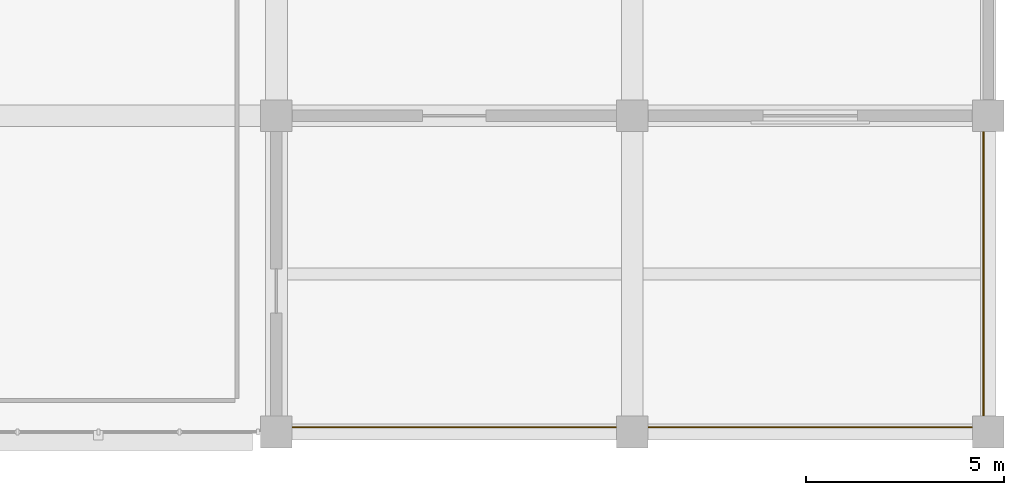
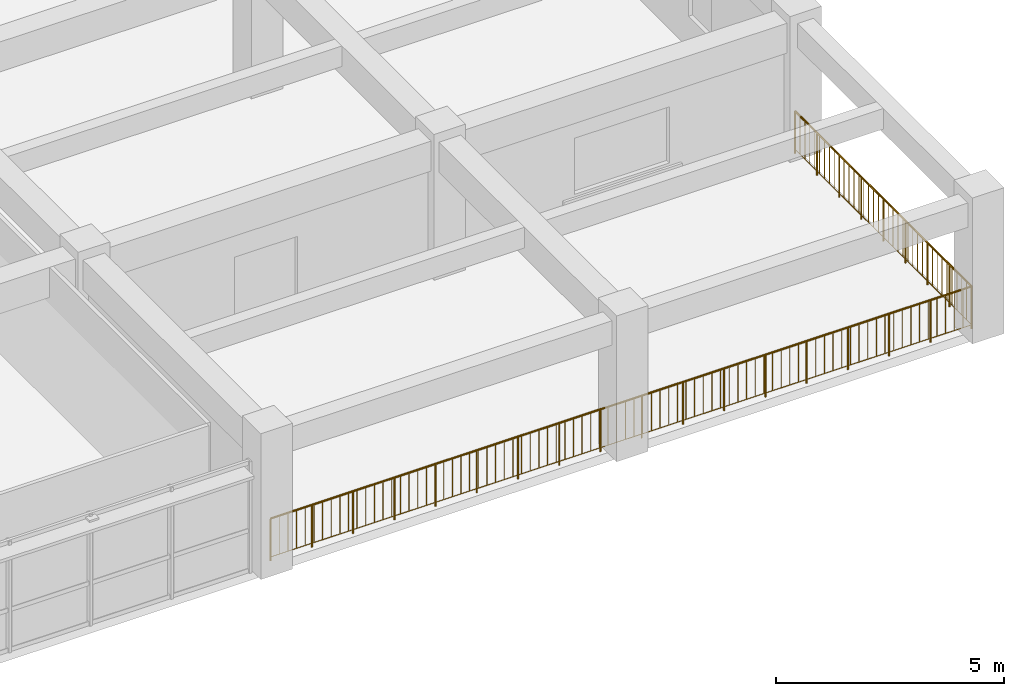
# One storey, part 17 of 17: 1 railing.
"""IFC4 building model written with IfcOpenShell, lengths in metres."""

import ifcopenshell
import ifcopenshell.guid

model = None  # the IFC model being written
_history = None  # IfcOwnerHistory: only IFC2X3 demands one
_inside = {}  # id of a spatial element -> (the spatial element, [elements in it])
_under = {}  # id of a project, library or spatial element -> (it, [spatial elements below it])
_declared = {}  # id of a project -> (the project, [libraries it declares])
_typed = {}  # id of a type object -> (the type object, [elements of that type])
_made_of = {}  # id of a material, layer set ... -> (it, [elements and type objects made of it])


def new_model(schema):
    """Start an empty IFC model of exactly this schema.

    Asked for "IFC4X3", IfcOpenShell would pick the latest addendum, in which some entities
    have other attributes; the version numbers below select the first issue.
    IFC2X3 requires an IfcOwnerHistory on every rooted entity: one is made here for all.
    """
    global model, _history
    if schema == "IFC4X3":
        model = ifcopenshell.file(schema_version=(4, 3, 0, 0))
    else:
        model = ifcopenshell.file(schema=schema)
    _inside.clear()
    _under.clear()
    _declared.clear()
    _typed.clear()
    _made_of.clear()
    _history = None
    if model.schema == "IFC2X3":
        org = make("IfcOrganization", Name="unknown")
        user = make(
            "IfcPersonAndOrganization",
            ThePerson=make("IfcPerson", FamilyName="unknown"),
            TheOrganization=org,
        )
        app = make(
            "IfcApplication",
            ApplicationDeveloper=org,
            Version="unknown",
            ApplicationFullName="unknown",
            ApplicationIdentifier="unknown",
        )
        _history = make(
            "IfcOwnerHistory",
            OwningUser=user,
            OwningApplication=app,
            ChangeAction="ADDED",
            CreationDate=0,
        )
    return model


def make(cls, **values):
    """One entity of the class cls with the attributes given. An attribute that is None is left unset."""
    return model.create_entity(
        cls, **{name: value for name, value in values.items() if value is not None}
    )


def rooted(cls, **values):
    """An entity with a GlobalId (a new one), such as an element, a storey or a relation."""
    return make(cls, GlobalId=ifcopenshell.guid.new(), OwnerHistory=_history, **values)


def si_unit(unit_type, name, prefix=None):
    """IfcSIUnit, for example si_unit("LENGTHUNIT", "METRE", prefix="MILLI")."""
    return make("IfcSIUnit", UnitType=unit_type, Prefix=prefix, Name=name)


def assignment(units):
    """IfcUnitAssignment: the units of a project."""
    return None if units is None else make("IfcUnitAssignment", Units=units)


def point(xyz):
    """IfcCartesianPoint."""
    return None if xyz is None else make("IfcCartesianPoint", Coordinates=xyz)


def direction(xyz):
    """IfcDirection."""
    return None if xyz is None else make("IfcDirection", DirectionRatios=xyz)


def frame(location, z_axis=None, x_axis=None):
    """IfcAxis2Placement3D, a coordinate frame: its origin and axes. An axis left out is left unset."""
    return make(
        "IfcAxis2Placement3D",
        Location=point(location),
        Axis=direction(z_axis),
        RefDirection=direction(x_axis),
    )


def frame_2d(location, x_axis=None):
    """IfcAxis2Placement2D, a coordinate frame in the plane: its origin and x axis."""
    return make(
        "IfcAxis2Placement2D", Location=point(location), RefDirection=direction(x_axis)
    )


def origin():
    """The frame at (0, 0, 0) with its axes left unset."""
    return frame((0.0, 0.0, 0.0))


def origin_2d():
    """The frame at (0, 0) in the plane with its x axis left unset."""
    return frame_2d((0.0, 0.0))


def place(relative_to, where):
    """IfcLocalPlacement: puts the frame where relative to a parent placement (None: the world)."""
    return make(
        "IfcLocalPlacement", PlacementRelTo=relative_to, RelativePlacement=where
    )


def context(
    kind, dimensions, precision=None, world=None, true_north=None, identifier=None
):
    """IfcGeometricRepresentationContext, for example the 3D "Model" context."""
    return make(
        "IfcGeometricRepresentationContext",
        ContextIdentifier=identifier,
        ContextType=kind,
        CoordinateSpaceDimension=dimensions,
        Precision=precision,
        WorldCoordinateSystem=world,
        TrueNorth=true_north,
    )


def subcontext(parent, identifier, kind, view, scale=None):
    """IfcGeometricRepresentationSubContext, for example "Body" below "Model"."""
    return make(
        "IfcGeometricRepresentationSubContext",
        ContextIdentifier=identifier,
        ContextType=kind,
        ParentContext=parent,
        TargetScale=scale,
        TargetView=view,
    )


def project(units=None, contexts=None):
    """IfcProject with its units and contexts."""
    return rooted(
        "IfcProject",
        Name="project",
        RepresentationContexts=contexts,
        UnitsInContext=assignment(units),
    )


def spatial(cls, under=None, at=None, **own):
    """A site, building, storey or space (cls), placed at a placement, below another one or the project."""
    s = rooted(cls, ObjectPlacement=at, **own)
    if under is not None:
        _under.setdefault(under.id(), (under, []))[1].append(s)
    return s


def profile(cls, at=None, kind="AREA", **sizes):
    """A parametric profile (cls). Its sizes go by their IFC names, for example OverallWidth=200.0."""
    return make(cls, ProfileType=kind, Position=at, **sizes)


def circle(**sizes):
    """IfcCircleProfileDef."""
    return profile("IfcCircleProfileDef", **sizes)


def extrude(swept, where, along, depth):
    """IfcExtrudedAreaSolid: the profile swept, set in the frame where, extruded along a direction by depth."""
    return make(
        "IfcExtrudedAreaSolid",
        SweptArea=swept,
        Position=where,
        ExtrudedDirection=direction(along),
        Depth=depth,
    )


def shape(context_of_items, identifier, shape_type, items):
    """IfcShapeRepresentation: the items that make up one representation, for example the "Body"."""
    return make(
        "IfcShapeRepresentation",
        ContextOfItems=context_of_items,
        RepresentationIdentifier=identifier,
        RepresentationType=shape_type,
        Items=items,
    )


def material(Name=None, Category=None):
    """IfcMaterial."""
    return make("IfcMaterial", Name=Name, Category=Category)


def layer(
    of_material, thickness, ventilated=None, Name=None, Category=None, Priority=None
):
    """IfcMaterialLayer: one layer of a wall or slab, of a material (None: an air gap)."""
    return make(
        "IfcMaterialLayer",
        Material=of_material,
        LayerThickness=thickness,
        IsVentilated=ventilated,
        Name=Name,
        Category=Category,
        Priority=Priority,
    )


def layer_set(layers, Name=None):
    """IfcMaterialLayerSet."""
    return make("IfcMaterialLayerSet", MaterialLayers=layers, LayerSetName=Name)


def made_of(thing, what):
    """Note that an element or type object is made of a material, layer set ...; save() writes the relation."""
    if what is not None:
        _made_of.setdefault(what.id(), (what, []))[1].append(thing)
    return thing


def type_object(cls, material=None, **own):
    """A type object (cls), such as IfcWallType, which elements share."""
    return made_of(rooted(cls, **own), material)


def element(
    cls,
    number,
    at=None,
    inside=None,
    cuts=None,
    type_object=None,
    material=None,
    context=None,
    identifier="Body",
    shape_type=None,
    held_by="IfcProductDefinitionShape",
    body=None,
    shapes=None,
    **own,
):
    """One element of the class cls, such as IfcWall. Its Tag is "e" and its number.

    at: its placement. inside: the storey or other place that contains it. cuts: it is an
    opening in that element (IfcRelVoidsElement). A single representation is given by context,
    identifier, shape_type and body (its items); several are given by shapes. held_by: the class
    of the entity that holds the representations. save() writes the other relations.
    """
    e = rooted(cls, Tag="e%d" % number, ObjectPlacement=at, **own)
    if body is not None:
        shapes = [shape(context, identifier, shape_type, body)]
    if shapes is not None:
        e.Representation = make(held_by, Representations=shapes)
    if inside is not None:
        _inside.setdefault(inside.id(), (inside, []))[1].append(e)
    if cuts is not None:
        rooted(
            "IfcRelVoidsElement", RelatingBuildingElement=cuts, RelatedOpeningElement=e
        )
    if type_object is not None:
        _typed.setdefault(type_object.id(), (type_object, []))[1].append(e)
    return made_of(e, material)


def aggregate(whole, parts):
    """IfcRelAggregates: a whole, such as a stair, and the parts it consists of."""
    return rooted("IfcRelAggregates", RelatingObject=whole, RelatedObjects=parts)


def save(model, path):
    """Write the relations noted so far, then the file.

    IfcRelAggregates (storeys below a building ...), IfcRelContainedInSpatialStructure (elements
    in a storey), IfcRelDefinesByType, IfcRelAssociatesMaterial and IfcRelDeclares: one each for
    every whole, place, type object, material and project.
    """
    for whole, parts in _under.values():
        aggregate(whole, parts)
    for where, things in _inside.values():
        rooted(
            "IfcRelContainedInSpatialStructure",
            RelatedElements=things,
            RelatingStructure=where,
        )
    for kind, things in _typed.values():
        rooted("IfcRelDefinesByType", RelatedObjects=things, RelatingType=kind)
    for what, things in _made_of.values():
        rooted("IfcRelAssociatesMaterial", RelatedObjects=things, RelatingMaterial=what)
    for by, libraries in _declared.values():
        rooted("IfcRelDeclares", RelatingContext=by, RelatedDefinitions=libraries)
    model.write(path)


model = new_model("IFC4")

# Units and contexts
model_context = context("Model", 3, precision=1e-05, world=origin(), true_north=direction((0.0, 1.0)))
body_context = subcontext(model_context, "Body", "Model", "MODEL_VIEW")
ifc_project = project(units=[si_unit("LENGTHUNIT", "METRE"), si_unit("AREAUNIT", "SQUARE_METRE"), si_unit("VOLUMEUNIT", "CUBIC_METRE"), si_unit("PLANEANGLEUNIT", "RADIAN"), si_unit("MASSUNIT", "GRAM", prefix="KILO")], contexts=[model_context])

# Site, building, storey
site_placement = place(None, origin())
site = spatial("IfcSite", under=ifc_project, at=site_placement, CompositionType="ELEMENT")
building_placement = place(site_placement, origin())
building = spatial("IfcBuilding", under=site, at=building_placement, Name="Zaverband Oceanarium and Marine Research Institute", CompositionType="ELEMENT")
storey_placement = place(building_placement, frame((0.0, 0.0, 33.60009765625)))
storey = spatial("IfcBuildingStorey", under=building, at=storey_placement, Name="L08", CompositionType="ELEMENT", Elevation=33.60009765625)

# Railing
ifc_material = material(Name="Steel S355", Category="steel")
ifc_layer = layer(ifc_material, 0.06005859375, Name="Steel S355")
ifc_layer_set = layer_set([ifc_layer], Name="Steel S355")
railing_type = type_object("IfcRailingType", Name="GRD-EXT-1150", PredefinedType="BALUSTRADE", material=ifc_layer_set)
railing_placement = place(storey_placement, frame((54.14990234375, 64.1201171875, 0.0)))
element("IfcRailing", 1, at=railing_placement, inside=storey, type_object=railing_type, Name="1150 mm marine-grade stainless steel terrace guard GRD-EXT-1150", PredefinedType="BALUSTRADE", context=body_context, shape_type="SweptSolid", body=[
    extrude(circle(Radius=0.02392578125, at=origin_2d()), frame((0.0, 0.0, 1.1259765625), z_axis=(1.0, 0.0, 0.0), x_axis=(0.0, 1.0, 0.0)), (0.0, 0.0, 1.0), 17.72998046875),
    extrude(circle(Radius=0.009033203125, at=origin_2d()), frame((0.0, 0.0, 0.10009765625), z_axis=(1.0, 0.0, 0.0), x_axis=(0.0, 1.0, 0.0)), (0.0, 0.0, 1.0), 17.72998046875),
    extrude(circle(Radius=0.009033203125, at=origin_2d()), frame((0.218994140625, 0.0, 0.10009765625)), (0.0, 0.0, 1.0), 1.001708984375),
    extrude(circle(Radius=0.009033203125, at=origin_2d()), frame((0.437744140625, 0.0, 0.10009765625)), (0.0, 0.0, 1.0), 1.001708984375),
    extrude(circle(Radius=0.009033203125, at=origin_2d()), frame((0.65673828125, 0.0, 0.10009765625)), (0.0, 0.0, 1.0), 1.001708984375),
    extrude(circle(Radius=0.009033203125, at=origin_2d()), frame((0.87548828125, 0.0, 0.10009765625)), (0.0, 0.0, 1.0), 1.001708984375),
    extrude(circle(Radius=0.009033203125, at=origin_2d()), frame((1.094482421875, 0.0, 0.10009765625)), (0.0, 0.0, 1.0), 1.001708984375),
    extrude(circle(Radius=0.009033203125, at=origin_2d()), frame((1.313232421875, 0.0, 0.10009765625)), (0.0, 0.0, 1.0), 1.001708984375),
    extrude(circle(Radius=0.009033203125, at=origin_2d()), frame((1.5322265625, 0.0, 0.10009765625)), (0.0, 0.0, 1.0), 1.001708984375),
    extrude(circle(Radius=0.009033203125, at=origin_2d()), frame((1.751220703125, 0.0, 0.10009765625)), (0.0, 0.0, 1.0), 1.001708984375),
    extrude(circle(Radius=0.009033203125, at=origin_2d()), frame((1.969970703125, 0.0, 0.10009765625)), (0.0, 0.0, 1.0), 1.001708984375),
    extrude(circle(Radius=0.009033203125, at=origin_2d()), frame((2.18896484375, 0.0, 0.10009765625)), (0.0, 0.0, 1.0), 1.001708984375),
    extrude(circle(Radius=0.009033203125, at=origin_2d()), frame((2.40771484375, 0.0, 0.10009765625)), (0.0, 0.0, 1.0), 1.001708984375),
    extrude(circle(Radius=0.009033203125, at=origin_2d()), frame((2.626708984375, 0.0, 0.10009765625)), (0.0, 0.0, 1.0), 1.001708984375),
    extrude(circle(Radius=0.009033203125, at=origin_2d()), frame((2.845458984375, 0.0, 0.10009765625)), (0.0, 0.0, 1.0), 1.001708984375),
    extrude(circle(Radius=0.009033203125, at=origin_2d()), frame((3.064453125, 0.0, 0.10009765625)), (0.0, 0.0, 1.0), 1.001708984375),
    extrude(circle(Radius=0.009033203125, at=origin_2d()), frame((3.283447265625, 0.0, 0.10009765625)), (0.0, 0.0, 1.0), 1.001708984375),
    extrude(circle(Radius=0.009033203125, at=origin_2d()), frame((3.502197265625, 0.0, 0.10009765625)), (0.0, 0.0, 1.0), 1.001708984375),
    extrude(circle(Radius=0.009033203125, at=origin_2d()), frame((3.72119140625, 0.0, 0.10009765625)), (0.0, 0.0, 1.0), 1.001708984375),
    extrude(circle(Radius=0.009033203125, at=origin_2d()), frame((3.93994140625, 0.0, 0.10009765625)), (0.0, 0.0, 1.0), 1.001708984375),
    extrude(circle(Radius=0.009033203125, at=origin_2d()), frame((4.158935546875, 0.0, 0.10009765625)), (0.0, 0.0, 1.0), 1.001708984375),
    extrude(circle(Radius=0.009033203125, at=origin_2d()), frame((4.377685546875, 0.0, 0.10009765625)), (0.0, 0.0, 1.0), 1.001708984375),
    extrude(circle(Radius=0.009033203125, at=origin_2d()), frame((4.5966796875, 0.0, 0.10009765625)), (0.0, 0.0, 1.0), 1.001708984375),
    extrude(circle(Radius=0.009033203125, at=origin_2d()), frame((4.8154296875, 0.0, 0.10009765625)), (0.0, 0.0, 1.0), 1.001708984375),
    extrude(circle(Radius=0.009033203125, at=origin_2d()), frame((5.034423828125, 0.0, 0.10009765625)), (0.0, 0.0, 1.0), 1.001708984375),
    extrude(circle(Radius=0.009033203125, at=origin_2d()), frame((5.25341796875, 0.0, 0.10009765625)), (0.0, 0.0, 1.0), 1.001708984375),
    extrude(circle(Radius=0.009033203125, at=origin_2d()), frame((5.47216796875, 0.0, 0.10009765625)), (0.0, 0.0, 1.0), 1.001708984375),
    extrude(circle(Radius=0.009033203125, at=origin_2d()), frame((5.691162109375, 0.0, 0.10009765625)), (0.0, 0.0, 1.0), 1.001708984375),
    extrude(circle(Radius=0.009033203125, at=origin_2d()), frame((5.909912109375, 0.0, 0.10009765625)), (0.0, 0.0, 1.0), 1.001708984375),
    extrude(circle(Radius=0.009033203125, at=origin_2d()), frame((6.12890625, 0.0, 0.10009765625)), (0.0, 0.0, 1.0), 1.001708984375),
    extrude(circle(Radius=0.009033203125, at=origin_2d()), frame((6.34765625, 0.0, 0.10009765625)), (0.0, 0.0, 1.0), 1.001708984375),
    extrude(circle(Radius=0.009033203125, at=origin_2d()), frame((6.566650390625, 0.0, 0.10009765625)), (0.0, 0.0, 1.0), 1.001708984375),
    extrude(circle(Radius=0.009033203125, at=origin_2d()), frame((6.78564453125, 0.0, 0.10009765625)), (0.0, 0.0, 1.0), 1.001708984375),
    extrude(circle(Radius=0.009033203125, at=origin_2d()), frame((7.00439453125, 0.0, 0.10009765625)), (0.0, 0.0, 1.0), 1.001708984375),
    extrude(circle(Radius=0.009033203125, at=origin_2d()), frame((7.223388671875, 0.0, 0.10009765625)), (0.0, 0.0, 1.0), 1.001708984375),
    extrude(circle(Radius=0.009033203125, at=origin_2d()), frame((7.442138671875, 0.0, 0.10009765625)), (0.0, 0.0, 1.0), 1.001708984375),
    extrude(circle(Radius=0.009033203125, at=origin_2d()), frame((7.6611328125, 0.0, 0.10009765625)), (0.0, 0.0, 1.0), 1.001708984375),
    extrude(circle(Radius=0.009033203125, at=origin_2d()), frame((7.8798828125, 0.0, 0.10009765625)), (0.0, 0.0, 1.0), 1.001708984375),
    extrude(circle(Radius=0.009033203125, at=origin_2d()), frame((8.098876953125, 0.0, 0.10009765625)), (0.0, 0.0, 1.0), 1.001708984375),
    extrude(circle(Radius=0.009033203125, at=origin_2d()), frame((8.31787109375, 0.0, 0.10009765625)), (0.0, 0.0, 1.0), 1.001708984375),
    extrude(circle(Radius=0.009033203125, at=origin_2d()), frame((8.53662109375, 0.0, 0.10009765625)), (0.0, 0.0, 1.0), 1.001708984375),
    extrude(circle(Radius=0.009033203125, at=origin_2d()), frame((8.755615234375, 0.0, 0.10009765625)), (0.0, 0.0, 1.0), 1.001708984375),
    extrude(circle(Radius=0.009033203125, at=origin_2d()), frame((8.974365234375, 0.0, 0.10009765625)), (0.0, 0.0, 1.0), 1.001708984375),
    extrude(circle(Radius=0.009033203125, at=origin_2d()), frame((9.193359375, 0.0, 0.10009765625)), (0.0, 0.0, 1.0), 1.001708984375),
    extrude(circle(Radius=0.009033203125, at=origin_2d()), frame((9.412109375, 0.0, 0.10009765625)), (0.0, 0.0, 1.0), 1.001708984375),
    extrude(circle(Radius=0.009033203125, at=origin_2d()), frame((9.631103515625, 0.0, 0.10009765625)), (0.0, 0.0, 1.0), 1.001708984375),
    extrude(circle(Radius=0.009033203125, at=origin_2d()), frame((9.85009765625, 0.0, 0.10009765625)), (0.0, 0.0, 1.0), 1.001708984375),
    extrude(circle(Radius=0.009033203125, at=origin_2d()), frame((10.06884765625, 0.0, 0.10009765625)), (0.0, 0.0, 1.0), 1.001708984375),
    extrude(circle(Radius=0.009033203125, at=origin_2d()), frame((10.287841796875, 0.0, 0.10009765625)), (0.0, 0.0, 1.0), 1.001708984375),
    extrude(circle(Radius=0.009033203125, at=origin_2d()), frame((10.506591796875, 0.0, 0.10009765625)), (0.0, 0.0, 1.0), 1.001708984375),
    extrude(circle(Radius=0.009033203125, at=origin_2d()), frame((10.7255859375, 0.0, 0.10009765625)), (0.0, 0.0, 1.0), 1.001708984375),
    extrude(circle(Radius=0.009033203125, at=origin_2d()), frame((10.9443359375, 0.0, 0.10009765625)), (0.0, 0.0, 1.0), 1.001708984375),
    extrude(circle(Radius=0.009033203125, at=origin_2d()), frame((11.163330078125, 0.0, 0.10009765625)), (0.0, 0.0, 1.0), 1.001708984375),
    extrude(circle(Radius=0.009033203125, at=origin_2d()), frame((11.38232421875, 0.0, 0.10009765625)), (0.0, 0.0, 1.0), 1.001708984375),
    extrude(circle(Radius=0.009033203125, at=origin_2d()), frame((11.60107421875, 0.0, 0.10009765625)), (0.0, 0.0, 1.0), 1.001708984375),
    extrude(circle(Radius=0.009033203125, at=origin_2d()), frame((11.820068359375, 0.0, 0.10009765625)), (0.0, 0.0, 1.0), 1.001708984375),
    extrude(circle(Radius=0.009033203125, at=origin_2d()), frame((12.038818359375, 0.0, 0.10009765625)), (0.0, 0.0, 1.0), 1.001708984375),
    extrude(circle(Radius=0.009033203125, at=origin_2d()), frame((12.2578125, 0.0, 0.10009765625)), (0.0, 0.0, 1.0), 1.001708984375),
    extrude(circle(Radius=0.009033203125, at=origin_2d()), frame((12.4765625, 0.0, 0.10009765625)), (0.0, 0.0, 1.0), 1.001708984375),
    extrude(circle(Radius=0.009033203125, at=origin_2d()), frame((12.695556640625, 0.0, 0.10009765625)), (0.0, 0.0, 1.0), 1.001708984375),
    extrude(circle(Radius=0.009033203125, at=origin_2d()), frame((12.91455078125, 0.0, 0.10009765625)), (0.0, 0.0, 1.0), 1.001708984375),
    extrude(circle(Radius=0.009033203125, at=origin_2d()), frame((13.13330078125, 0.0, 0.10009765625)), (0.0, 0.0, 1.0), 1.001708984375),
    extrude(circle(Radius=0.009033203125, at=origin_2d()), frame((13.352294921875, 0.0, 0.10009765625)), (0.0, 0.0, 1.0), 1.001708984375),
    extrude(circle(Radius=0.009033203125, at=origin_2d()), frame((13.571044921875, 0.0, 0.10009765625)), (0.0, 0.0, 1.0), 1.001708984375),
    extrude(circle(Radius=0.009033203125, at=origin_2d()), frame((13.7900390625, 0.0, 0.10009765625)), (0.0, 0.0, 1.0), 1.001708984375),
    extrude(circle(Radius=0.009033203125, at=origin_2d()), frame((14.0087890625, 0.0, 0.10009765625)), (0.0, 0.0, 1.0), 1.001708984375),
    extrude(circle(Radius=0.009033203125, at=origin_2d()), frame((14.227783203125, 0.0, 0.10009765625)), (0.0, 0.0, 1.0), 1.001708984375),
    extrude(circle(Radius=0.009033203125, at=origin_2d()), frame((14.446533203125, 0.0, 0.10009765625)), (0.0, 0.0, 1.0), 1.001708984375),
    extrude(circle(Radius=0.009033203125, at=origin_2d()), frame((14.66552734375, 0.0, 0.10009765625)), (0.0, 0.0, 1.0), 1.001708984375),
    extrude(circle(Radius=0.009033203125, at=origin_2d()), frame((14.884521484375, 0.0, 0.10009765625)), (0.0, 0.0, 1.0), 1.001708984375),
    extrude(circle(Radius=0.009033203125, at=origin_2d()), frame((15.103271484375, 0.0, 0.10009765625)), (0.0, 0.0, 1.0), 1.001708984375),
    extrude(circle(Radius=0.009033203125, at=origin_2d()), frame((15.322265625, 0.0, 0.10009765625)), (0.0, 0.0, 1.0), 1.001708984375),
    extrude(circle(Radius=0.009033203125, at=origin_2d()), frame((15.541015625, 0.0, 0.10009765625)), (0.0, 0.0, 1.0), 1.001708984375),
    extrude(circle(Radius=0.009033203125, at=origin_2d()), frame((15.760009765625, 0.0, 0.10009765625)), (0.0, 0.0, 1.0), 1.001708984375),
    extrude(circle(Radius=0.009033203125, at=origin_2d()), frame((15.978759765625, 0.0, 0.10009765625)), (0.0, 0.0, 1.0), 1.001708984375),
    extrude(circle(Radius=0.009033203125, at=origin_2d()), frame((16.19775390625, 0.0, 0.10009765625)), (0.0, 0.0, 1.0), 1.001708984375),
    extrude(circle(Radius=0.009033203125, at=origin_2d()), frame((16.416748046875, 0.0, 0.10009765625)), (0.0, 0.0, 1.0), 1.001708984375),
    extrude(circle(Radius=0.009033203125, at=origin_2d()), frame((16.635498046875, 0.0, 0.10009765625)), (0.0, 0.0, 1.0), 1.001708984375),
    extrude(circle(Radius=0.009033203125, at=origin_2d()), frame((16.8544921875, 0.0, 0.10009765625)), (0.0, 0.0, 1.0), 1.001708984375),
    extrude(circle(Radius=0.009033203125, at=origin_2d()), frame((17.0732421875, 0.0, 0.10009765625)), (0.0, 0.0, 1.0), 1.001708984375),
    extrude(circle(Radius=0.009033203125, at=origin_2d()), frame((17.292236328125, 0.0, 0.10009765625)), (0.0, 0.0, 1.0), 1.001708984375),
    extrude(circle(Radius=0.009033203125, at=origin_2d()), frame((17.510986328125, 0.0, 0.10009765625)), (0.0, 0.0, 1.0), 1.001708984375),
    extrude(circle(Radius=0.02392578125, at=origin_2d()), frame((17.72998046875, 0.0, 1.1259765625), z_axis=(0.0, 1.0, 0.0), x_axis=(-1.0, 0.0, 0.0)), (0.0, 0.0, 1.0), 7.72998046875),
    extrude(circle(Radius=0.009033203125, at=origin_2d()), frame((17.72998046875, 0.0, 0.10009765625), z_axis=(0.0, 1.0, 0.0), x_axis=(-1.0, 0.0, 0.0)), (0.0, 0.0, 1.0), 7.72998046875),
    extrude(circle(Radius=0.009033203125, at=origin_2d()), frame((17.72998046875, 0.21484375, 0.10009765625)), (0.0, 0.0, 1.0), 1.001708984375),
    extrude(circle(Radius=0.009033203125, at=origin_2d()), frame((17.72998046875, 0.429443359375, 0.10009765625)), (0.0, 0.0, 1.0), 1.001708984375),
    extrude(circle(Radius=0.009033203125, at=origin_2d()), frame((17.72998046875, 0.64404296875, 0.10009765625)), (0.0, 0.0, 1.0), 1.001708984375),
    extrude(circle(Radius=0.009033203125, at=origin_2d()), frame((17.72998046875, 0.85888671875, 0.10009765625)), (0.0, 0.0, 1.0), 1.001708984375),
    extrude(circle(Radius=0.009033203125, at=origin_2d()), frame((17.72998046875, 1.07373046875, 0.10009765625)), (0.0, 0.0, 1.0), 1.001708984375),
    extrude(circle(Radius=0.009033203125, at=origin_2d()), frame((17.72998046875, 1.288330078125, 0.10009765625)), (0.0, 0.0, 1.0), 1.001708984375),
    extrude(circle(Radius=0.009033203125, at=origin_2d()), frame((17.72998046875, 1.5029296875, 0.10009765625)), (0.0, 0.0, 1.0), 1.001708984375),
    extrude(circle(Radius=0.009033203125, at=origin_2d()), frame((17.72998046875, 1.7177734375, 0.10009765625)), (0.0, 0.0, 1.0), 1.001708984375),
    extrude(circle(Radius=0.009033203125, at=origin_2d()), frame((17.72998046875, 1.9326171875, 0.10009765625)), (0.0, 0.0, 1.0), 1.001708984375),
    extrude(circle(Radius=0.009033203125, at=origin_2d()), frame((17.72998046875, 2.147216796875, 0.10009765625)), (0.0, 0.0, 1.0), 1.001708984375),
    extrude(circle(Radius=0.009033203125, at=origin_2d()), frame((17.72998046875, 2.36181640625, 0.10009765625)), (0.0, 0.0, 1.0), 1.001708984375),
    extrude(circle(Radius=0.009033203125, at=origin_2d()), frame((17.72998046875, 2.57666015625, 0.10009765625)), (0.0, 0.0, 1.0), 1.001708984375),
    extrude(circle(Radius=0.009033203125, at=origin_2d()), frame((17.72998046875, 2.79150390625, 0.10009765625)), (0.0, 0.0, 1.0), 1.001708984375),
    extrude(circle(Radius=0.009033203125, at=origin_2d()), frame((17.72998046875, 3.006103515625, 0.10009765625)), (0.0, 0.0, 1.0), 1.001708984375),
    extrude(circle(Radius=0.009033203125, at=origin_2d()), frame((17.72998046875, 3.220703125, 0.10009765625)), (0.0, 0.0, 1.0), 1.001708984375),
    extrude(circle(Radius=0.009033203125, at=origin_2d()), frame((17.72998046875, 3.435546875, 0.10009765625)), (0.0, 0.0, 1.0), 1.001708984375),
    extrude(circle(Radius=0.009033203125, at=origin_2d()), frame((17.72998046875, 3.650390625, 0.10009765625)), (0.0, 0.0, 1.0), 1.001708984375),
    extrude(circle(Radius=0.009033203125, at=origin_2d()), frame((17.72998046875, 3.864990234375, 0.10009765625)), (0.0, 0.0, 1.0), 1.001708984375),
    extrude(circle(Radius=0.009033203125, at=origin_2d()), frame((17.72998046875, 4.07958984375, 0.10009765625)), (0.0, 0.0, 1.0), 1.001708984375),
    extrude(circle(Radius=0.009033203125, at=origin_2d()), frame((17.72998046875, 4.29443359375, 0.10009765625)), (0.0, 0.0, 1.0), 1.001708984375),
    extrude(circle(Radius=0.009033203125, at=origin_2d()), frame((17.72998046875, 4.50927734375, 0.10009765625)), (0.0, 0.0, 1.0), 1.001708984375),
    extrude(circle(Radius=0.009033203125, at=origin_2d()), frame((17.72998046875, 4.723876953125, 0.10009765625)), (0.0, 0.0, 1.0), 1.001708984375),
    extrude(circle(Radius=0.009033203125, at=origin_2d()), frame((17.72998046875, 4.9384765625, 0.10009765625)), (0.0, 0.0, 1.0), 1.001708984375),
    extrude(circle(Radius=0.009033203125, at=origin_2d()), frame((17.72998046875, 5.1533203125, 0.10009765625)), (0.0, 0.0, 1.0), 1.001708984375),
    extrude(circle(Radius=0.009033203125, at=origin_2d()), frame((17.72998046875, 5.3681640625, 0.10009765625)), (0.0, 0.0, 1.0), 1.001708984375),
    extrude(circle(Radius=0.009033203125, at=origin_2d()), frame((17.72998046875, 5.582763671875, 0.10009765625)), (0.0, 0.0, 1.0), 1.001708984375),
    extrude(circle(Radius=0.009033203125, at=origin_2d()), frame((17.72998046875, 5.79736328125, 0.10009765625)), (0.0, 0.0, 1.0), 1.001708984375),
    extrude(circle(Radius=0.009033203125, at=origin_2d()), frame((17.72998046875, 6.01220703125, 0.10009765625)), (0.0, 0.0, 1.0), 1.001708984375),
    extrude(circle(Radius=0.009033203125, at=origin_2d()), frame((17.72998046875, 6.22705078125, 0.10009765625)), (0.0, 0.0, 1.0), 1.001708984375),
    extrude(circle(Radius=0.009033203125, at=origin_2d()), frame((17.72998046875, 6.441650390625, 0.10009765625)), (0.0, 0.0, 1.0), 1.001708984375),
    extrude(circle(Radius=0.009033203125, at=origin_2d()), frame((17.72998046875, 6.65625, 0.10009765625)), (0.0, 0.0, 1.0), 1.001708984375),
    extrude(circle(Radius=0.009033203125, at=origin_2d()), frame((17.72998046875, 6.87109375, 0.10009765625)), (0.0, 0.0, 1.0), 1.001708984375),
    extrude(circle(Radius=0.009033203125, at=origin_2d()), frame((17.72998046875, 7.0859375, 0.10009765625)), (0.0, 0.0, 1.0), 1.001708984375),
    extrude(circle(Radius=0.009033203125, at=origin_2d()), frame((17.72998046875, 7.300537109375, 0.10009765625)), (0.0, 0.0, 1.0), 1.001708984375),
    extrude(circle(Radius=0.009033203125, at=origin_2d()), frame((17.72998046875, 7.51513671875, 0.10009765625)), (0.0, 0.0, 1.0), 1.001708984375),
    extrude(circle(Radius=0.02099609375, at=origin_2d()), origin(), (0.0, 0.0, 1.0), 1.101806640625),
    extrude(circle(Radius=0.02099609375, at=origin_2d()), frame((1.04296875, 0.0, 0.0)), (0.0, 0.0, 1.0), 1.101806640625),
    extrude(circle(Radius=0.02099609375, at=origin_2d()), frame((2.0859375, 0.0, 0.0)), (0.0, 0.0, 1.0), 1.101806640625),
    extrude(circle(Radius=0.02099609375, at=origin_2d()), frame((3.12890625, 0.0, 0.0)), (0.0, 0.0, 1.0), 1.101806640625),
    extrude(circle(Radius=0.02099609375, at=origin_2d()), frame((4.171875, 0.0, 0.0)), (0.0, 0.0, 1.0), 1.101806640625),
    extrude(circle(Radius=0.02099609375, at=origin_2d()), frame((5.214599609375, 0.0, 0.0)), (0.0, 0.0, 1.0), 1.101806640625),
    extrude(circle(Radius=0.02099609375, at=origin_2d()), frame((6.257568359375, 0.0, 0.0)), (0.0, 0.0, 1.0), 1.101806640625),
    extrude(circle(Radius=0.02099609375, at=origin_2d()), frame((7.300537109375, 0.0, 0.0)), (0.0, 0.0, 1.0), 1.101806640625),
    extrude(circle(Radius=0.02099609375, at=origin_2d()), frame((8.343505859375, 0.0, 0.0)), (0.0, 0.0, 1.0), 1.101806640625),
    extrude(circle(Radius=0.02099609375, at=origin_2d()), frame((9.386474609375, 0.0, 0.0)), (0.0, 0.0, 1.0), 1.101806640625),
    extrude(circle(Radius=0.02099609375, at=origin_2d()), frame((10.429443359375, 0.0, 0.0)), (0.0, 0.0, 1.0), 1.101806640625),
    extrude(circle(Radius=0.02099609375, at=origin_2d()), frame((11.472412109375, 0.0, 0.0)), (0.0, 0.0, 1.0), 1.101806640625),
    extrude(circle(Radius=0.02099609375, at=origin_2d()), frame((12.515380859375, 0.0, 0.0)), (0.0, 0.0, 1.0), 1.101806640625),
    extrude(circle(Radius=0.02099609375, at=origin_2d()), frame((13.55810546875, 0.0, 0.0)), (0.0, 0.0, 1.0), 1.101806640625),
    extrude(circle(Radius=0.02099609375, at=origin_2d()), frame((14.60107421875, 0.0, 0.0)), (0.0, 0.0, 1.0), 1.101806640625),
    extrude(circle(Radius=0.02099609375, at=origin_2d()), frame((15.64404296875, 0.0, 0.0)), (0.0, 0.0, 1.0), 1.101806640625),
    extrude(circle(Radius=0.02099609375, at=origin_2d()), frame((16.68701171875, 0.0, 0.0)), (0.0, 0.0, 1.0), 1.101806640625),
    extrude(circle(Radius=0.02099609375, at=origin_2d()), frame((17.72998046875, 0.0, 0.0)), (0.0, 0.0, 1.0), 1.101806640625),
    extrude(circle(Radius=0.02099609375, at=origin_2d()), frame((17.72998046875, 0.96630859375, 0.0)), (0.0, 0.0, 1.0), 1.101806640625),
    extrude(circle(Radius=0.02099609375, at=origin_2d()), frame((17.72998046875, 1.9326171875, 0.0)), (0.0, 0.0, 1.0), 1.101806640625),
    extrude(circle(Radius=0.02099609375, at=origin_2d()), frame((17.72998046875, 2.898681640625, 0.0)), (0.0, 0.0, 1.0), 1.101806640625),
    extrude(circle(Radius=0.02099609375, at=origin_2d()), frame((17.72998046875, 3.864990234375, 0.0)), (0.0, 0.0, 1.0), 1.101806640625),
    extrude(circle(Radius=0.02099609375, at=origin_2d()), frame((17.72998046875, 4.831298828125, 0.0)), (0.0, 0.0, 1.0), 1.101806640625),
    extrude(circle(Radius=0.02099609375, at=origin_2d()), frame((17.72998046875, 5.79736328125, 0.0)), (0.0, 0.0, 1.0), 1.101806640625),
    extrude(circle(Radius=0.02099609375, at=origin_2d()), frame((17.72998046875, 6.763671875, 0.0)), (0.0, 0.0, 1.0), 1.101806640625),
    extrude(circle(Radius=0.02099609375, at=origin_2d()), frame((17.72998046875, 7.72998046875, 0.0)), (0.0, 0.0, 1.0), 1.101806640625),
])

save(model, "model.ifc")
